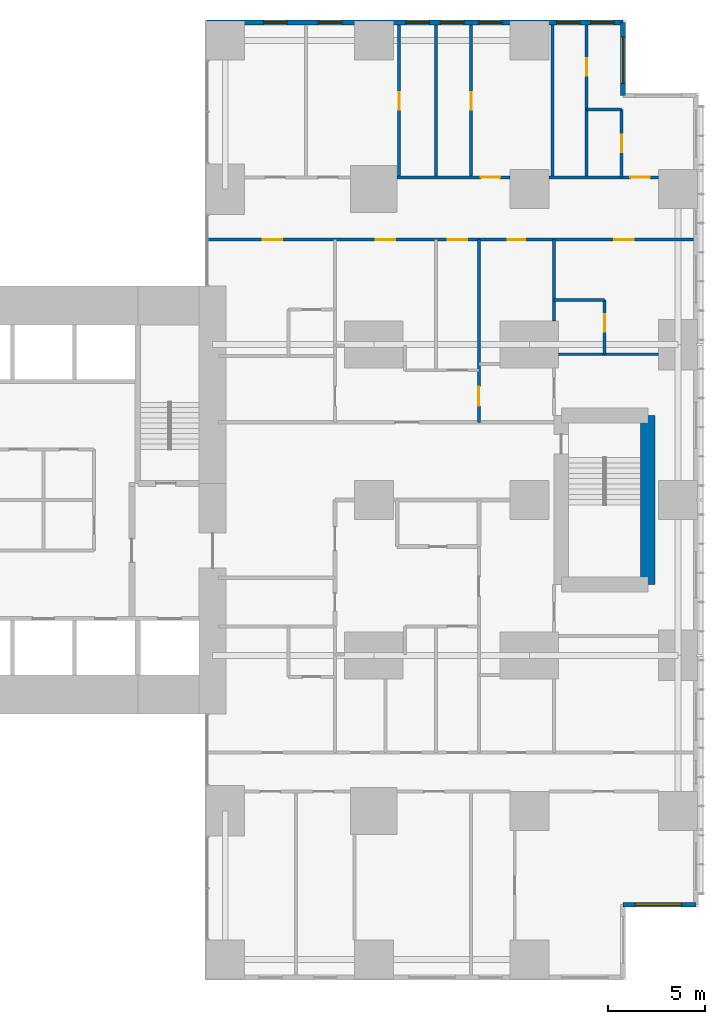
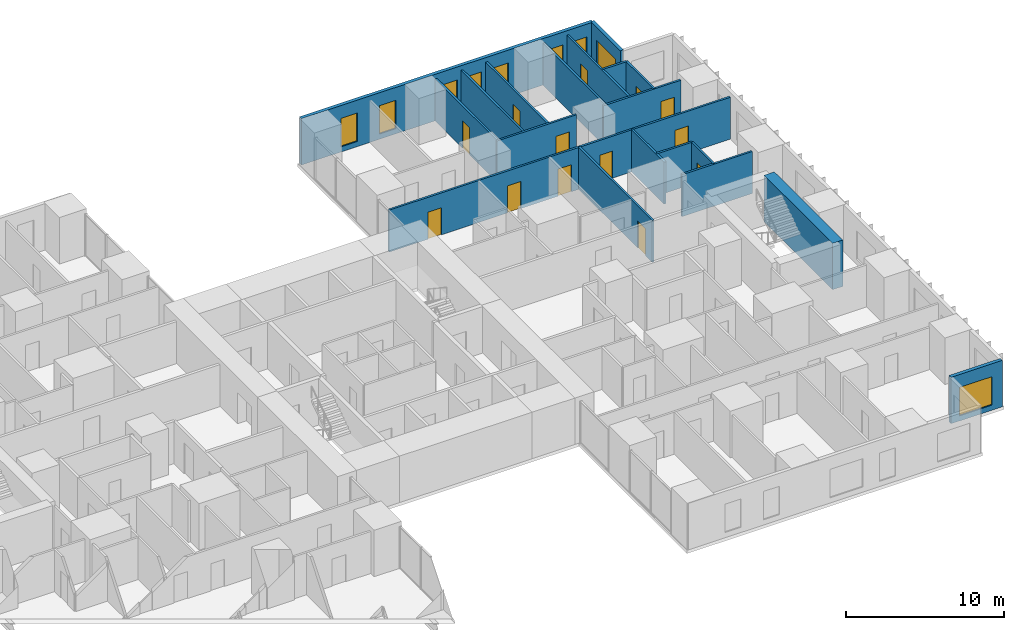
# One storey, part 18 of 20: 19 walls, 13 doors, 9 windows, 22 openings.
"""IFC4 building model written with IfcOpenShell, lengths in metres."""

from ifc_helpers import new_model, si_unit, direction, frame, frame_2d, origin, place, context, subcontext, project, spatial, rectangle, extrude, material, layer, layer_set, type_object, element, fill, save


model = new_model("IFC4")

# Units and contexts
model_context = context("Model", 3, precision=1e-05, world=origin(), true_north=direction((0.0, 1.0)))
body_context = subcontext(model_context, "Body", "Model", "MODEL_VIEW")
ifc_project = project(units=[si_unit("LENGTHUNIT", "METRE"), si_unit("AREAUNIT", "SQUARE_METRE"), si_unit("VOLUMEUNIT", "CUBIC_METRE"), si_unit("PLANEANGLEUNIT", "RADIAN"), si_unit("MASSUNIT", "GRAM", prefix="KILO")], contexts=[model_context])

# Site, building, storey
site_placement = place(None, origin())
site = spatial("IfcSite", under=ifc_project, at=site_placement, CompositionType="ELEMENT")
building_placement = place(site_placement, origin())
building = spatial("IfcBuilding", under=site, at=building_placement, Name="Cleftline Residences", CompositionType="ELEMENT")
storey_placement = place(building_placement, frame((0.0, 0.0, 168.199951171875)))
storey = spatial("IfcBuildingStorey", under=building, at=storey_placement, Name="L44", CompositionType="ELEMENT", Elevation=168.199951171875)

# Wall, opening, window
ifc_material_1 = material(Name="Rendered reinforced concrete blockwork", Category="masonry")
ifc_layer_1 = layer(ifc_material_1, 0.25)
ifc_layer_set_1 = layer_set([ifc_layer_1], Name="EXTERNAL WALL 250")
wall_type_1 = type_object("IfcWallType", Name="EXTERNAL WALL 250", PredefinedType="SOLIDWALL", material=ifc_layer_set_1)
wall_1_placement = place(storey_placement, frame((62.824951171875, 3.175048828125, 0.0), z_axis=(0.0, 0.0, 1.0), x_axis=(1.0, 0.0, 0.0)))
wall_1 = element("IfcWall", 1, at=wall_1_placement, inside=storey, type_object=wall_type_1, Name="External wall", PredefinedType="SOLIDWALL", context=body_context, shape_type="SweptSolid", body=[
    extrude(rectangle(XDim=3.75, YDim=0.25, at=frame_2d((1.875, 0.0))), origin(), (0.0, 0.0, 1.0), 3.60009765625),
])
opening_1_placement = place(wall_1_placement, frame((0.612548828125, 0.0, 0.39990234375)))
opening_1 = element("IfcOpeningElement", 2, at=opening_1_placement, cuts=wall_1, Name="Opening W12", PredefinedType="OPENING", context=body_context, shape_type="SweptSolid", body=[
    extrude(rectangle(XDim=2.39990234375, YDim=2.199951171875, at=frame_2d((1.199951171875, 1.10009765625))), frame((0.0, 0.135009765625, 0.0), z_axis=(0.0, -1.0, 0.0), x_axis=(1.0, 0.0, 0.0)), (0.0, 0.0, 1.0), 0.27001953125),
])
ifc_material_2 = material(Name="Aluminium frame, clear double glazing", Category="aluminium")
window_type_1 = type_object("IfcWindowType", Name="WINDOW 2400X2200", PartitioningType="DOUBLE_PANEL_VERTICAL", PredefinedType="WINDOW", material=ifc_material_2)
window_1_placement = place(opening_1_placement, origin())
window_1 = element("IfcWindow", 3, at=window_1_placement, inside=storey, type_object=window_type_1, Name="Window", OverallHeight=2.199951171875, OverallWidth=2.39990234375, PartitioningType="SINGLE_PANEL", PredefinedType="WINDOW", context=body_context, shape_type="SweptSolid", body=[
    extrude(rectangle(XDim=2.39990234375, YDim=2.199951171875, at=frame_2d((1.199951171875, 1.10009765625))), frame((0.0, 0.030029296875, 0.0), z_axis=(0.0, -1.0, 0.0), x_axis=(1.0, 0.0, 0.0)), (0.0, 0.0, 1.0), 0.06005859375),
])
fill(opening_1, window_1)

wall_2_placement = place(storey_placement, frame((62.824951171875, 44.824951171875, 0.0), z_axis=(0.0, 0.0, 1.0), x_axis=(0.0, 1.0, 0.0)))
wall_2 = element("IfcWall", 4, at=wall_2_placement, inside=storey, type_object=wall_type_1, Name="External wall", PredefinedType="SOLIDWALL", context=body_context, shape_type="SweptSolid", body=[
    extrude(rectangle(XDim=3.75, YDim=0.25, at=frame_2d((1.875, 0.0))), origin(), (0.0, 0.0, 1.0), 3.60009765625),
])
opening_2_placement = place(wall_2_placement, frame((0.612548828125, 0.0, 0.39990234375)))
opening_2 = element("IfcOpeningElement", 5, at=opening_2_placement, cuts=wall_2, Name="Opening W12", PredefinedType="OPENING", context=body_context, shape_type="SweptSolid", body=[
    extrude(rectangle(XDim=2.39990234375, YDim=2.199951171875, at=frame_2d((1.199951171875, 1.10009765625))), frame((0.0, 0.135009765625, 0.0), z_axis=(0.0, -1.0, 0.0), x_axis=(1.0, 0.0, 0.0)), (0.0, 0.0, 1.0), 0.27001953125),
])
window_2_placement = place(opening_2_placement, origin())
window_2 = element("IfcWindow", 6, at=window_2_placement, inside=storey, type_object=window_type_1, Name="Window", OverallHeight=2.199951171875, OverallWidth=2.39990234375, PartitioningType="SINGLE_PANEL", PredefinedType="WINDOW", context=body_context, shape_type="SweptSolid", body=[
    extrude(rectangle(XDim=2.39990234375, YDim=2.199951171875, at=frame_2d((1.199951171875, 1.10009765625))), frame((0.0, 0.030029296875, 0.0), z_axis=(0.0, -1.0, 0.0), x_axis=(1.0, 0.0, 0.0)), (0.0, 0.0, 1.0), 0.06005859375),
])
fill(opening_2, window_2)

# Wall, openings, windows
wall_3_placement = place(storey_placement, frame((62.824951171875, 48.574951171875, 0.0), z_axis=(0.0, 0.0, 1.0), x_axis=(-1.0, 0.0, 0.0)))
wall_3 = element("IfcWall", 7, at=wall_3_placement, inside=storey, type_object=wall_type_1, Name="External wall", PredefinedType="SOLIDWALL", context=body_context, shape_type="SweptSolid", body=[
    extrude(rectangle(XDim=21.39990234375, YDim=0.25, at=frame_2d((10.699951171875, 0.0))), origin(), (0.0, 0.0, 1.0), 3.60009765625),
])
opening_3_placement = place(wall_3_placement, frame((0.47509765625, 0.0, 0.39990234375)))
opening_3 = element("IfcOpeningElement", 8, at=opening_3_placement, cuts=wall_3, Name="Opening W11", PredefinedType="OPENING", context=body_context, shape_type="SweptSolid", body=[
    extrude(rectangle(XDim=1.199951171875, YDim=2.199951171875, at=frame_2d((0.60009765625, 1.10009765625))), frame((0.0, 0.135009765625, 0.0), z_axis=(0.0, -1.0, 0.0), x_axis=(1.0, 0.0, 0.0)), (0.0, 0.0, 1.0), 0.27001953125),
])
opening_4_placement = place(wall_3_placement, frame((2.22509765625, 0.0, 0.39990234375)))
opening_4 = element("IfcOpeningElement", 9, at=opening_4_placement, cuts=wall_3, Name="Opening W11", PredefinedType="OPENING", context=body_context, shape_type="SweptSolid", body=[
    extrude(rectangle(XDim=1.199951171875, YDim=2.199951171875, at=frame_2d((0.60009765625, 1.10009765625))), frame((0.0, 0.135009765625, 0.0), z_axis=(0.0, -1.0, 0.0), x_axis=(1.0, 0.0, 0.0)), (0.0, 0.0, 1.0), 0.27001953125),
])
opening_5_placement = place(wall_3_placement, frame((6.22509765625, 0.0, 0.39990234375)))
opening_5 = element("IfcOpeningElement", 10, at=opening_5_placement, cuts=wall_3, Name="Opening W11", PredefinedType="OPENING", context=body_context, shape_type="SweptSolid", body=[
    extrude(rectangle(XDim=1.199951171875, YDim=2.199951171875, at=frame_2d((0.60009765625, 1.10009765625))), frame((0.0, 0.135009765625, 0.0), z_axis=(0.0, -1.0, 0.0), x_axis=(1.0, 0.0, 0.0)), (0.0, 0.0, 1.0), 0.27001953125),
])
opening_6_placement = place(wall_3_placement, frame((8.199951171875, 0.0, 0.39990234375)))
opening_6 = element("IfcOpeningElement", 11, at=opening_6_placement, cuts=wall_3, Name="Opening W11", PredefinedType="OPENING", context=body_context, shape_type="SweptSolid", body=[
    extrude(rectangle(XDim=1.199951171875, YDim=2.199951171875, at=frame_2d((0.60009765625, 1.10009765625))), frame((0.0, 0.135009765625, 0.0), z_axis=(0.0, -1.0, 0.0), x_axis=(1.0, 0.0, 0.0)), (0.0, 0.0, 1.0), 0.27001953125),
])
opening_7_placement = place(wall_3_placement, frame((9.97509765625, 0.0, 0.39990234375)))
opening_7 = element("IfcOpeningElement", 12, at=opening_7_placement, cuts=wall_3, Name="Opening W11", PredefinedType="OPENING", context=body_context, shape_type="SweptSolid", body=[
    extrude(rectangle(XDim=1.199951171875, YDim=2.199951171875, at=frame_2d((0.60009765625, 1.10009765625))), frame((0.0, 0.135009765625, 0.0), z_axis=(0.0, -1.0, 0.0), x_axis=(1.0, 0.0, 0.0)), (0.0, 0.0, 1.0), 0.27001953125),
])
opening_8_placement = place(wall_3_placement, frame((14.47509765625, 0.0, 0.39990234375)))
opening_8 = element("IfcOpeningElement", 13, at=opening_8_placement, cuts=wall_3, Name="Opening W11", PredefinedType="OPENING", context=body_context, shape_type="SweptSolid", body=[
    extrude(rectangle(XDim=1.199951171875, YDim=2.199951171875, at=frame_2d((0.60009765625, 1.10009765625))), frame((0.0, 0.135009765625, 0.0), z_axis=(0.0, -1.0, 0.0), x_axis=(1.0, 0.0, 0.0)), (0.0, 0.0, 1.0), 0.27001953125),
])
opening_9_placement = place(wall_3_placement, frame((17.300048828125, 0.0, 0.39990234375)))
opening_9 = element("IfcOpeningElement", 14, at=opening_9_placement, cuts=wall_3, Name="Opening W11", PredefinedType="OPENING", context=body_context, shape_type="SweptSolid", body=[
    extrude(rectangle(XDim=1.199951171875, YDim=2.199951171875, at=frame_2d((0.60009765625, 1.10009765625))), frame((0.0, 0.135009765625, 0.0), z_axis=(0.0, -1.0, 0.0), x_axis=(1.0, 0.0, 0.0)), (0.0, 0.0, 1.0), 0.27001953125),
])
ifc_material_3 = material(Name="Aluminium frame, clear double glazing", Category="aluminium")
window_type_2 = type_object("IfcWindowType", Name="WINDOW 1200X2200", PartitioningType="DOUBLE_PANEL_VERTICAL", PredefinedType="WINDOW", material=ifc_material_3)
window_3_placement = place(opening_3_placement, origin())
window_3 = element("IfcWindow", 15, at=window_3_placement, inside=storey, type_object=window_type_2, Name="Window", OverallHeight=2.199951171875, OverallWidth=1.199951171875, PartitioningType="SINGLE_PANEL", PredefinedType="WINDOW", context=body_context, shape_type="SweptSolid", body=[
    extrude(rectangle(XDim=1.199951171875, YDim=2.199951171875, at=frame_2d((0.60009765625, 1.10009765625))), frame((0.0, 0.030029296875, 0.0), z_axis=(0.0, -1.0, 0.0), x_axis=(1.0, 0.0, 0.0)), (0.0, 0.0, 1.0), 0.06005859375),
])
fill(opening_3, window_3)
window_4_placement = place(opening_4_placement, origin())
window_4 = element("IfcWindow", 16, at=window_4_placement, inside=storey, type_object=window_type_2, Name="Window", OverallHeight=2.199951171875, OverallWidth=1.199951171875, PartitioningType="SINGLE_PANEL", PredefinedType="WINDOW", context=body_context, shape_type="SweptSolid", body=[
    extrude(rectangle(XDim=1.199951171875, YDim=2.199951171875, at=frame_2d((0.60009765625, 1.10009765625))), frame((0.0, 0.030029296875, 0.0), z_axis=(0.0, -1.0, 0.0), x_axis=(1.0, 0.0, 0.0)), (0.0, 0.0, 1.0), 0.06005859375),
])
fill(opening_4, window_4)
window_5_placement = place(opening_5_placement, origin())
window_5 = element("IfcWindow", 17, at=window_5_placement, inside=storey, type_object=window_type_2, Name="Window", OverallHeight=2.199951171875, OverallWidth=1.199951171875, PartitioningType="SINGLE_PANEL", PredefinedType="WINDOW", context=body_context, shape_type="SweptSolid", body=[
    extrude(rectangle(XDim=1.199951171875, YDim=2.199951171875, at=frame_2d((0.60009765625, 1.10009765625))), frame((0.0, 0.030029296875, 0.0), z_axis=(0.0, -1.0, 0.0), x_axis=(1.0, 0.0, 0.0)), (0.0, 0.0, 1.0), 0.06005859375),
])
fill(opening_5, window_5)
window_6_placement = place(opening_6_placement, origin())
window_6 = element("IfcWindow", 18, at=window_6_placement, inside=storey, type_object=window_type_2, Name="Window", OverallHeight=2.199951171875, OverallWidth=1.199951171875, PartitioningType="SINGLE_PANEL", PredefinedType="WINDOW", context=body_context, shape_type="SweptSolid", body=[
    extrude(rectangle(XDim=1.199951171875, YDim=2.199951171875, at=frame_2d((0.60009765625, 1.10009765625))), frame((0.0, 0.030029296875, 0.0), z_axis=(0.0, -1.0, 0.0), x_axis=(1.0, 0.0, 0.0)), (0.0, 0.0, 1.0), 0.06005859375),
])
fill(opening_6, window_6)
window_7_placement = place(opening_7_placement, origin())
window_7 = element("IfcWindow", 19, at=window_7_placement, inside=storey, type_object=window_type_2, Name="Window", OverallHeight=2.199951171875, OverallWidth=1.199951171875, PartitioningType="SINGLE_PANEL", PredefinedType="WINDOW", context=body_context, shape_type="SweptSolid", body=[
    extrude(rectangle(XDim=1.199951171875, YDim=2.199951171875, at=frame_2d((0.60009765625, 1.10009765625))), frame((0.0, 0.030029296875, 0.0), z_axis=(0.0, -1.0, 0.0), x_axis=(1.0, 0.0, 0.0)), (0.0, 0.0, 1.0), 0.06005859375),
])
fill(opening_7, window_7)
window_8_placement = place(opening_8_placement, origin())
window_8 = element("IfcWindow", 20, at=window_8_placement, inside=storey, type_object=window_type_2, Name="Window", OverallHeight=2.199951171875, OverallWidth=1.199951171875, PartitioningType="SINGLE_PANEL", PredefinedType="WINDOW", context=body_context, shape_type="SweptSolid", body=[
    extrude(rectangle(XDim=1.199951171875, YDim=2.199951171875, at=frame_2d((0.60009765625, 1.10009765625))), frame((0.0, 0.030029296875, 0.0), z_axis=(0.0, -1.0, 0.0), x_axis=(1.0, 0.0, 0.0)), (0.0, 0.0, 1.0), 0.06005859375),
])
fill(opening_8, window_8)
window_9_placement = place(opening_9_placement, origin())
window_9 = element("IfcWindow", 21, at=window_9_placement, inside=storey, type_object=window_type_2, Name="Window", OverallHeight=2.199951171875, OverallWidth=1.199951171875, PartitioningType="SINGLE_PANEL", PredefinedType="WINDOW", context=body_context, shape_type="SweptSolid", body=[
    extrude(rectangle(XDim=1.199951171875, YDim=2.199951171875, at=frame_2d((0.60009765625, 1.10009765625))), frame((0.0, 0.030029296875, 0.0), z_axis=(0.0, -1.0, 0.0), x_axis=(1.0, 0.0, 0.0)), (0.0, 0.0, 1.0), 0.06005859375),
])
fill(opening_9, window_9)

# Walls
ifc_material_4 = material(Name="Gypsum board on steel studs", Category="steel")
ifc_layer_2 = layer(ifc_material_4, 0.14990234375)
ifc_layer_set_2 = layer_set([ifc_layer_2], Name="PARTITION 150")
wall_type_2 = type_object("IfcWallType", Name="PARTITION 150", PredefinedType="PARTITIONING", material=ifc_layer_set_2)
wall_4_placement = place(storey_placement, frame((59.5, 31.5, 0.0), z_axis=(0.0, 0.0, 1.0), x_axis=(1.0, 0.0, 0.0)))
element("IfcWall", 22, at=wall_4_placement, inside=storey, type_object=wall_type_2, Name="Partition", PredefinedType="PARTITIONING", context=body_context, shape_type="SweptSolid", body=[
    extrude(rectangle(XDim=5.14990234375, YDim=0.14990234375, at=frame_2d((2.574951171875, 0.0))), origin(), (0.0, 0.0, 1.0), 3.25),
])
wall_5_placement = place(storey_placement, frame((59.27490234375, 34.300048828125, 0.0), z_axis=(0.0, 0.0, 1.0), x_axis=(1.0, 0.0, 0.0)))
element("IfcWall", 23, at=wall_5_placement, inside=storey, type_object=wall_type_2, Name="Partition", PredefinedType="PARTITIONING", context=body_context, shape_type="SweptSolid", body=[
    extrude(rectangle(XDim=2.60009765625, YDim=0.14990234375, at=frame_2d((1.300048828125, 0.0))), origin(), (0.0, 0.0, 1.0), 3.25),
])

# Wall, openings, doors
wall_6_placement = place(storey_placement, frame((41.43896484375, 37.39990234375, 0.0), z_axis=(0.0, 0.0, 1.0), x_axis=(1.0, 0.0, 0.0)))
wall_6 = element("IfcWall", 24, at=wall_6_placement, inside=storey, type_object=wall_type_2, Name="Partition", PredefinedType="PARTITIONING", context=body_context, shape_type="SweptSolid", body=[
    extrude(rectangle(XDim=25.010986328125, YDim=0.14990234375, at=frame_2d((12.50537109375, 0.0))), origin(), (0.0, 0.0, 1.0), 3.25),
])
opening_10_placement = place(wall_6_placement, frame((12.361083984375, 0.0, 0.0)))
opening_10 = element("IfcOpeningElement", 25, at=opening_10_placement, cuts=wall_6, Name="Opening D2F30", PredefinedType="OPENING", context=body_context, shape_type="SweptSolid", body=[
    extrude(rectangle(XDim=1.0, YDim=2.10009765625, at=frame_2d((0.5, 1.050048828125))), frame((0.0, 0.0849609375, 0.0), z_axis=(0.0, -1.0, 0.0), x_axis=(1.0, 0.0, 0.0)), (0.0, 0.0, 1.0), 0.169921875),
])
opening_11_placement = place(wall_6_placement, frame((20.923583984375, 0.0, 0.0)))
opening_11 = element("IfcOpeningElement", 26, at=opening_11_placement, cuts=wall_6, Name="Opening D2F30", PredefinedType="OPENING", context=body_context, shape_type="SweptSolid", body=[
    extrude(rectangle(XDim=1.0, YDim=2.10009765625, at=frame_2d((0.5, 1.050048828125))), frame((0.0, 0.0849609375, 0.0), z_axis=(0.0, -1.0, 0.0), x_axis=(1.0, 0.0, 0.0)), (0.0, 0.0, 1.0), 0.169921875),
])
opening_12_placement = place(wall_6_placement, frame((15.448486328125, 0.0, 0.0)))
opening_12 = element("IfcOpeningElement", 27, at=opening_12_placement, cuts=wall_6, Name="Opening D1F30", PredefinedType="OPENING", context=body_context, shape_type="SweptSolid", body=[
    extrude(rectangle(XDim=0.89990234375, YDim=2.10009765625, at=frame_2d((0.449951171875, 1.050048828125))), frame((0.0, 0.0849609375, 0.0), z_axis=(0.0, -1.0, 0.0), x_axis=(1.0, 0.0, 0.0)), (0.0, 0.0, 1.0), 0.169921875),
])
opening_13_placement = place(wall_6_placement, frame((8.660888671875, 0.0, 0.0)))
opening_13 = element("IfcOpeningElement", 28, at=opening_13_placement, cuts=wall_6, Name="Opening D2F30", PredefinedType="OPENING", context=body_context, shape_type="SweptSolid", body=[
    extrude(rectangle(XDim=1.0, YDim=2.10009765625, at=frame_2d((0.5, 1.050048828125))), frame((0.0, 0.0849609375, 0.0), z_axis=(0.0, -1.0, 0.0), x_axis=(1.0, 0.0, 0.0)), (0.0, 0.0, 1.0), 0.169921875),
])
opening_14_placement = place(wall_6_placement, frame((2.8359375, 0.0, 0.0)))
opening_14 = element("IfcOpeningElement", 29, at=opening_14_placement, cuts=wall_6, Name="Opening D2F30", PredefinedType="OPENING", context=body_context, shape_type="SweptSolid", body=[
    extrude(rectangle(XDim=1.0, YDim=2.10009765625, at=frame_2d((0.5, 1.050048828125))), frame((0.0, 0.0849609375, 0.0), z_axis=(0.0, -1.0, 0.0), x_axis=(1.0, 0.0, 0.0)), (0.0, 0.0, 1.0), 0.169921875),
])
ifc_material_5 = material(Name="Timber veneer on solid core", Category="wood")
door_type_1 = type_object("IfcDoorType", Name="DOOR 1000X2100 EI 30", OperationType="SINGLE_SWING_LEFT", PredefinedType="DOOR", material=ifc_material_5)
door_1_placement = place(opening_10_placement, origin())
door_1 = element("IfcDoor", 30, at=door_1_placement, inside=storey, type_object=door_type_1, Name="Door to residence corridor (bedrooms)", OperationType="SINGLE_SWING_LEFT", OverallHeight=2.10009765625, OverallWidth=1.0, PredefinedType="DOOR", context=body_context, shape_type="SweptSolid", body=[
    extrude(rectangle(XDim=1.0, YDim=2.10009765625, at=frame_2d((0.5, 1.050048828125))), frame((0.0, 0.02490234375, 0.0), z_axis=(0.0, -1.0, 0.0), x_axis=(1.0, 0.0, 0.0)), (0.0, 0.0, 1.0), 0.050048828125),
])
fill(opening_10, door_1)
door_2_placement = place(opening_11_placement, origin())
door_2 = element("IfcDoor", 31, at=door_2_placement, inside=storey, type_object=door_type_1, Name="Door to master bedroom", OperationType="SINGLE_SWING_LEFT", OverallHeight=2.10009765625, OverallWidth=1.0, PredefinedType="DOOR", context=body_context, shape_type="SweptSolid", body=[
    extrude(rectangle(XDim=1.0, YDim=2.10009765625, at=frame_2d((0.5, 1.050048828125))), frame((0.0, 0.02490234375, 0.0), z_axis=(0.0, -1.0, 0.0), x_axis=(1.0, 0.0, 0.0)), (0.0, 0.0, 1.0), 0.050048828125),
])
fill(opening_11, door_2)
door_3_placement = place(opening_13_placement, origin())
door_3 = element("IfcDoor", 32, at=door_3_placement, inside=storey, type_object=door_type_1, Name="Door to media room", OperationType="SINGLE_SWING_RIGHT", OverallHeight=2.10009765625, OverallWidth=1.0, PredefinedType="DOOR", context=body_context, shape_type="SweptSolid", body=[
    extrude(rectangle(XDim=1.0, YDim=2.10009765625, at=frame_2d((0.5, 1.050048828125))), frame((0.0, 0.02490234375, 0.0), z_axis=(0.0, -1.0, 0.0), x_axis=(1.0, 0.0, 0.0)), (0.0, 0.0, 1.0), 0.050048828125),
])
fill(opening_13, door_3)
door_4_placement = place(opening_14_placement, origin())
door_4 = element("IfcDoor", 33, at=door_4_placement, inside=storey, type_object=door_type_1, Name="Door to staff bedroom", OperationType="SINGLE_SWING_RIGHT", OverallHeight=2.10009765625, OverallWidth=1.0, PredefinedType="DOOR", context=body_context, shape_type="SweptSolid", body=[
    extrude(rectangle(XDim=1.0, YDim=2.10009765625, at=frame_2d((0.5, 1.050048828125))), frame((0.0, 0.02490234375, 0.0), z_axis=(0.0, -1.0, 0.0), x_axis=(1.0, 0.0, 0.0)), (0.0, 0.0, 1.0), 0.050048828125),
])
fill(opening_14, door_4)
ifc_material_6 = material(Name="Timber veneer on solid core", Category="wood")
door_type_2 = type_object("IfcDoorType", Name="DOOR 900X2100 EI 30", OperationType="SINGLE_SWING_LEFT", PredefinedType="DOOR", material=ifc_material_6)
door_5_placement = place(opening_12_placement, origin())
door_5 = element("IfcDoor", 34, at=door_5_placement, inside=storey, type_object=door_type_2, Name="Door to guest bathroom", OperationType="SINGLE_SWING_LEFT", OverallHeight=2.10009765625, OverallWidth=0.89990234375, PredefinedType="DOOR", context=body_context, shape_type="SweptSolid", body=[
    extrude(rectangle(XDim=0.89990234375, YDim=2.10009765625, at=frame_2d((0.449951171875, 1.050048828125))), frame((0.0, 0.02490234375, 0.0), z_axis=(0.0, -1.0, 0.0), x_axis=(1.0, 0.0, 0.0)), (0.0, 0.0, 1.0), 0.050048828125),
])
fill(opening_12, door_5)

# Wall, opening, door
wall_7_placement = place(storey_placement, frame((51.199951171875, 40.60009765625, 0.0), z_axis=(0.0, 0.0, 1.0), x_axis=(1.0, 0.0, 0.0)))
wall_7 = element("IfcWall", 35, at=wall_7_placement, inside=storey, type_object=wall_type_2, Name="Partition", PredefinedType="PARTITIONING", context=body_context, shape_type="SweptSolid", body=[
    extrude(rectangle(XDim=5.800048828125, YDim=0.14990234375, at=frame_2d((2.89990234375, 0.0))), origin(), (0.0, 0.0, 1.0), 3.25),
])
opening_15_placement = place(wall_7_placement, frame((4.300048828125, 0.0, 0.0)))
opening_15 = element("IfcOpeningElement", 36, at=opening_15_placement, cuts=wall_7, Name="Opening D2", PredefinedType="OPENING", context=body_context, shape_type="SweptSolid", body=[
    extrude(rectangle(XDim=1.0, YDim=2.10009765625, at=frame_2d((0.5, 1.050048828125))), frame((0.0, 0.0849609375, 0.0), z_axis=(0.0, -1.0, 0.0), x_axis=(1.0, 0.0, 0.0)), (0.0, 0.0, 1.0), 0.169921875),
])
ifc_material_7 = material(Name="Timber veneer on solid core", Category="wood")
door_type_3 = type_object("IfcDoorType", Name="DOOR 1000X2100", OperationType="SINGLE_SWING_LEFT", PredefinedType="DOOR", material=ifc_material_7)
door_6_placement = place(opening_15_placement, origin())
door_6 = element("IfcDoor", 37, at=door_6_placement, inside=storey, type_object=door_type_3, Name="Door to bedroom 3", OperationType="SINGLE_SWING_LEFT", OverallHeight=2.10009765625, OverallWidth=1.0, PredefinedType="DOOR", context=body_context, shape_type="SweptSolid", body=[
    extrude(rectangle(XDim=1.0, YDim=2.10009765625, at=frame_2d((0.5, 1.050048828125))), frame((0.0, 0.02490234375, 0.0), z_axis=(0.0, -1.0, 0.0), x_axis=(1.0, 0.0, 0.0)), (0.0, 0.0, 1.0), 0.050048828125),
])
fill(opening_15, door_6)

wall_8_placement = place(storey_placement, frame((59.0, 40.60009765625, 0.0), z_axis=(0.0, 0.0, 1.0), x_axis=(1.0, 0.0, 0.0)))
wall_8 = element("IfcWall", 38, at=wall_8_placement, inside=storey, type_object=wall_type_2, Name="Partition", PredefinedType="PARTITIONING", context=body_context, shape_type="SweptSolid", body=[
    extrude(rectangle(XDim=5.64990234375, YDim=0.14990234375, at=frame_2d((2.824951171875, 0.0))), origin(), (0.0, 0.0, 1.0), 3.25),
])
opening_16_placement = place(wall_8_placement, frame((4.199951171875, 0.0, 0.0)))
opening_16 = element("IfcOpeningElement", 39, at=opening_16_placement, cuts=wall_8, Name="Opening D2", PredefinedType="OPENING", context=body_context, shape_type="SweptSolid", body=[
    extrude(rectangle(XDim=1.0, YDim=2.10009765625, at=frame_2d((0.5, 1.050048828125))), frame((0.0, 0.0849609375, 0.0), z_axis=(0.0, -1.0, 0.0), x_axis=(1.0, 0.0, 0.0)), (0.0, 0.0, 1.0), 0.169921875),
])
door_7_placement = place(opening_16_placement, origin())
door_7 = element("IfcDoor", 40, at=door_7_placement, inside=storey, type_object=door_type_3, Name="Door to bedroom 2", OperationType="SINGLE_SWING_LEFT", OverallHeight=2.10009765625, OverallWidth=1.0, PredefinedType="DOOR", context=body_context, shape_type="SweptSolid", body=[
    extrude(rectangle(XDim=1.0, YDim=2.10009765625, at=frame_2d((0.5, 1.050048828125))), frame((0.0, 0.02490234375, 0.0), z_axis=(0.0, -1.0, 0.0), x_axis=(1.0, 0.0, 0.0)), (0.0, 0.0, 1.0), 0.050048828125),
])
fill(opening_16, door_7)

# Wall
wall_9_placement = place(storey_placement, frame((60.949951171875, 44.10009765625, 0.0), z_axis=(0.0, 0.0, 1.0), x_axis=(1.0, 0.0, 0.0)))
element("IfcWall", 41, at=wall_9_placement, inside=storey, type_object=wall_type_2, Name="Partition", PredefinedType="PARTITIONING", context=body_context, shape_type="SweptSolid", body=[
    extrude(rectangle(XDim=1.800048828125, YDim=0.14990234375, at=frame_2d((0.89990234375, 0.0))), origin(), (0.0, 0.0, 1.0), 3.25),
])

# Wall, opening, door
wall_10_placement = place(storey_placement, frame((51.300048828125, 40.60009765625, 0.0), z_axis=(0.0, 0.0, 1.0), x_axis=(0.0, 1.0, 0.0)))
wall_10 = element("IfcWall", 42, at=wall_10_placement, inside=storey, type_object=wall_type_2, Name="Partition", PredefinedType="PARTITIONING", context=body_context, shape_type="SweptSolid", body=[
    extrude(rectangle(XDim=7.849853515625, YDim=0.14990234375, at=frame_2d((3.9248046875, 0.0))), origin(), (0.0, 0.0, 1.0), 3.25),
])
opening_17_placement = place(wall_10_placement, frame((3.47509765625, 0.0, 0.0)))
opening_17 = element("IfcOpeningElement", 43, at=opening_17_placement, cuts=wall_10, Name="Opening D1", PredefinedType="OPENING", context=body_context, shape_type="SweptSolid", body=[
    extrude(rectangle(XDim=0.89990234375, YDim=2.10009765625, at=frame_2d((0.449951171875, 1.050048828125))), frame((0.0, 0.0849609375, 0.0), z_axis=(0.0, -1.0, 0.0), x_axis=(1.0, 0.0, 0.0)), (0.0, 0.0, 1.0), 0.169921875),
])
ifc_material_8 = material(Name="Timber veneer on solid core", Category="wood")
door_type_4 = type_object("IfcDoorType", Name="DOOR 900X2100", OperationType="SINGLE_SWING_LEFT", PredefinedType="DOOR", material=ifc_material_8)
door_8_placement = place(opening_17_placement, origin())
door_8 = element("IfcDoor", 44, at=door_8_placement, inside=storey, type_object=door_type_4, Name="Door to en-suite bathroom 4", OperationType="SINGLE_SWING_LEFT", OverallHeight=2.10009765625, OverallWidth=0.89990234375, PredefinedType="DOOR", context=body_context, shape_type="SweptSolid", body=[
    extrude(rectangle(XDim=0.89990234375, YDim=2.10009765625, at=frame_2d((0.449951171875, 1.050048828125))), frame((0.0, 0.02490234375, 0.0), z_axis=(0.0, -1.0, 0.0), x_axis=(1.0, 0.0, 0.0)), (0.0, 0.0, 1.0), 0.050048828125),
])
fill(opening_17, door_8)

# Wall
wall_11_placement = place(storey_placement, frame((53.199951171875, 40.60009765625, 0.0), z_axis=(0.0, 0.0, 1.0), x_axis=(0.0, 1.0, 0.0)))
element("IfcWall", 45, at=wall_11_placement, inside=storey, type_object=wall_type_2, Name="Partition", PredefinedType="PARTITIONING", context=body_context, shape_type="SweptSolid", body=[
    extrude(rectangle(XDim=7.849853515625, YDim=0.14990234375, at=frame_2d((3.9248046875, 0.0))), origin(), (0.0, 0.0, 1.0), 3.25),
])

# Wall, opening, door
wall_12_placement = place(storey_placement, frame((55.0, 40.60009765625, 0.0), z_axis=(0.0, 0.0, 1.0), x_axis=(0.0, 1.0, 0.0)))
wall_12 = element("IfcWall", 46, at=wall_12_placement, inside=storey, type_object=wall_type_2, Name="Partition", PredefinedType="PARTITIONING", context=body_context, shape_type="SweptSolid", body=[
    extrude(rectangle(XDim=7.849853515625, YDim=0.14990234375, at=frame_2d((3.9248046875, 0.0))), origin(), (0.0, 0.0, 1.0), 3.25),
])
opening_18_placement = place(wall_12_placement, frame((3.47509765625, 0.0, 0.0)))
opening_18 = element("IfcOpeningElement", 47, at=opening_18_placement, cuts=wall_12, Name="Opening D1", PredefinedType="OPENING", context=body_context, shape_type="SweptSolid", body=[
    extrude(rectangle(XDim=0.89990234375, YDim=2.10009765625, at=frame_2d((0.449951171875, 1.050048828125))), frame((0.0, 0.0849609375, 0.0), z_axis=(0.0, -1.0, 0.0), x_axis=(1.0, 0.0, 0.0)), (0.0, 0.0, 1.0), 0.169921875),
])
door_9_placement = place(opening_18_placement, origin())
door_9 = element("IfcDoor", 48, at=door_9_placement, inside=storey, type_object=door_type_4, Name="Door to en-suite bathroom 3", OperationType="SINGLE_SWING_LEFT", OverallHeight=2.10009765625, OverallWidth=0.89990234375, PredefinedType="DOOR", context=body_context, shape_type="SweptSolid", body=[
    extrude(rectangle(XDim=0.89990234375, YDim=2.10009765625, at=frame_2d((0.449951171875, 1.050048828125))), frame((0.0, 0.02490234375, 0.0), z_axis=(0.0, -1.0, 0.0), x_axis=(1.0, 0.0, 0.0)), (0.0, 0.0, 1.0), 0.050048828125),
])
fill(opening_18, door_9)

wall_13_placement = place(storey_placement, frame((55.39990234375, 28.0, 0.0), z_axis=(0.0, 0.0, 1.0), x_axis=(0.0, 1.0, 0.0)))
wall_13 = element("IfcWall", 49, at=wall_13_placement, inside=storey, type_object=wall_type_2, Name="Partition", PredefinedType="PARTITIONING", context=body_context, shape_type="SweptSolid", body=[
    extrude(rectangle(XDim=9.39990234375, YDim=0.14990234375, at=frame_2d((4.699951171875, 0.0))), origin(), (0.0, 0.0, 1.0), 3.25),
])
opening_19_placement = place(wall_13_placement, frame((0.83740234375, 0.0, 0.0)))
opening_19 = element("IfcOpeningElement", 50, at=opening_19_placement, cuts=wall_13, Name="Opening D2F30", PredefinedType="OPENING", context=body_context, shape_type="SweptSolid", body=[
    extrude(rectangle(XDim=1.0, YDim=2.10009765625, at=frame_2d((0.5, 1.050048828125))), frame((0.0, 0.0849609375, 0.0), z_axis=(0.0, -1.0, 0.0), x_axis=(1.0, 0.0, 0.0)), (0.0, 0.0, 1.0), 0.169921875),
])
door_10_placement = place(opening_19_placement, origin())
door_10 = element("IfcDoor", 51, at=door_10_placement, inside=storey, type_object=door_type_1, Name="Door to residence lobby (service)", OperationType="SINGLE_SWING_RIGHT", OverallHeight=2.10009765625, OverallWidth=1.0, PredefinedType="DOOR", context=body_context, shape_type="SweptSolid", body=[
    extrude(rectangle(XDim=1.0, YDim=2.10009765625, at=frame_2d((0.5, 1.050048828125))), frame((0.0, 0.02490234375, 0.0), z_axis=(0.0, -1.0, 0.0), x_axis=(1.0, 0.0, 0.0)), (0.0, 0.0, 1.0), 0.050048828125),
])
fill(opening_19, door_10)

# Walls
wall_14_placement = place(storey_placement, frame((59.199951171875, 40.60009765625, 0.0), z_axis=(0.0, 0.0, 1.0), x_axis=(0.0, 1.0, 0.0)))
element("IfcWall", 52, at=wall_14_placement, inside=storey, type_object=wall_type_2, Name="Partition", PredefinedType="PARTITIONING", context=body_context, shape_type="SweptSolid", body=[
    extrude(rectangle(XDim=7.849853515625, YDim=0.14990234375, at=frame_2d((3.9248046875, 0.0))), origin(), (0.0, 0.0, 1.0), 3.25),
])
wall_15_placement = place(storey_placement, frame((59.27490234375, 33.199951171875, 0.0), z_axis=(0.0, 0.0, 1.0), x_axis=(0.0, 1.0, 0.0)))
element("IfcWall", 53, at=wall_15_placement, inside=storey, type_object=wall_type_2, Name="Partition", PredefinedType="PARTITIONING", context=body_context, shape_type="SweptSolid", body=[
    extrude(rectangle(XDim=4.199951171875, YDim=0.14990234375, at=frame_2d((2.10009765625, 0.0))), origin(), (0.0, 0.0, 1.0), 3.25),
])

# Wall, opening, door
wall_16_placement = place(storey_placement, frame((60.949951171875, 40.60009765625, 0.0), z_axis=(0.0, 0.0, 1.0), x_axis=(0.0, 1.0, 0.0)))
wall_16 = element("IfcWall", 54, at=wall_16_placement, inside=storey, type_object=wall_type_2, Name="Partition", PredefinedType="PARTITIONING", context=body_context, shape_type="SweptSolid", body=[
    extrude(rectangle(XDim=7.849853515625, YDim=0.14990234375, at=frame_2d((3.9248046875, 0.0))), origin(), (0.0, 0.0, 1.0), 3.25),
])
opening_20_placement = place(wall_16_placement, frame((5.22509765625, 0.0, 0.0)))
opening_20 = element("IfcOpeningElement", 55, at=opening_20_placement, cuts=wall_16, Name="Opening D1", PredefinedType="OPENING", context=body_context, shape_type="SweptSolid", body=[
    extrude(rectangle(XDim=0.89990234375, YDim=2.10009765625, at=frame_2d((0.449951171875, 1.050048828125))), frame((0.0, 0.0849609375, 0.0), z_axis=(0.0, -1.0, 0.0), x_axis=(1.0, 0.0, 0.0)), (0.0, 0.0, 1.0), 0.169921875),
])
door_11_placement = place(opening_20_placement, origin())
door_11 = element("IfcDoor", 56, at=door_11_placement, inside=storey, type_object=door_type_4, Name="Door to walk-in wardrobe", OperationType="SINGLE_SWING_LEFT", OverallHeight=2.10009765625, OverallWidth=0.89990234375, PredefinedType="DOOR", context=body_context, shape_type="SweptSolid", body=[
    extrude(rectangle(XDim=0.89990234375, YDim=2.10009765625, at=frame_2d((0.449951171875, 1.050048828125))), frame((0.0, 0.02490234375, 0.0), z_axis=(0.0, -1.0, 0.0), x_axis=(1.0, 0.0, 0.0)), (0.0, 0.0, 1.0), 0.050048828125),
])
fill(opening_20, door_11)

wall_17_placement = place(storey_placement, frame((61.875, 31.5, 0.0), z_axis=(0.0, 0.0, 1.0), x_axis=(0.0, 1.0, 0.0)))
wall_17 = element("IfcWall", 57, at=wall_17_placement, inside=storey, type_object=wall_type_2, Name="Partition", PredefinedType="PARTITIONING", context=body_context, shape_type="SweptSolid", body=[
    extrude(rectangle(XDim=2.800048828125, YDim=0.14990234375, at=frame_2d((1.39990234375, 0.0))), origin(), (0.0, 0.0, 1.0), 3.25),
])
opening_21_placement = place(wall_17_placement, frame((1.14990234375, 0.0, 0.0)))
opening_21 = element("IfcOpeningElement", 58, at=opening_21_placement, cuts=wall_17, Name="Opening D1", PredefinedType="OPENING", context=body_context, shape_type="SweptSolid", body=[
    extrude(rectangle(XDim=0.89990234375, YDim=2.10009765625, at=frame_2d((0.449951171875, 1.050048828125))), frame((0.0, 0.0849609375, 0.0), z_axis=(0.0, -1.0, 0.0), x_axis=(1.0, 0.0, 0.0)), (0.0, 0.0, 1.0), 0.169921875),
])
door_12_placement = place(opening_21_placement, origin())
door_12 = element("IfcDoor", 59, at=door_12_placement, inside=storey, type_object=door_type_4, Name="Door to master bathroom", OperationType="SINGLE_SWING_LEFT", OverallHeight=2.10009765625, OverallWidth=0.89990234375, PredefinedType="DOOR", context=body_context, shape_type="SweptSolid", body=[
    extrude(rectangle(XDim=0.89990234375, YDim=2.10009765625, at=frame_2d((0.449951171875, 1.050048828125))), frame((0.0, 0.02490234375, 0.0), z_axis=(0.0, -1.0, 0.0), x_axis=(1.0, 0.0, 0.0)), (0.0, 0.0, 1.0), 0.050048828125),
])
fill(opening_21, door_12)

wall_18_placement = place(storey_placement, frame((62.75, 40.60009765625, 0.0), z_axis=(0.0, 0.0, 1.0), x_axis=(0.0, 1.0, 0.0)))
wall_18 = element("IfcWall", 60, at=wall_18_placement, inside=storey, type_object=wall_type_2, Name="Partition", PredefinedType="PARTITIONING", context=body_context, shape_type="SweptSolid", body=[
    extrude(rectangle(XDim=3.5, YDim=0.14990234375, at=frame_2d((1.75, 0.0))), origin(), (0.0, 0.0, 1.0), 3.25),
])
opening_22_placement = place(wall_18_placement, frame((1.300048828125, 0.0, 0.0)))
opening_22 = element("IfcOpeningElement", 61, at=opening_22_placement, cuts=wall_18, Name="Opening D1", PredefinedType="OPENING", context=body_context, shape_type="SweptSolid", body=[
    extrude(rectangle(XDim=0.89990234375, YDim=2.10009765625, at=frame_2d((0.449951171875, 1.050048828125))), frame((0.0, 0.0849609375, 0.0), z_axis=(0.0, -1.0, 0.0), x_axis=(1.0, 0.0, 0.0)), (0.0, 0.0, 1.0), 0.169921875),
])
door_13_placement = place(opening_22_placement, origin())
door_13 = element("IfcDoor", 62, at=door_13_placement, inside=storey, type_object=door_type_4, Name="Door to en-suite bathroom 2", OperationType="SINGLE_SWING_LEFT", OverallHeight=2.10009765625, OverallWidth=0.89990234375, PredefinedType="DOOR", context=body_context, shape_type="SweptSolid", body=[
    extrude(rectangle(XDim=0.89990234375, YDim=2.10009765625, at=frame_2d((0.449951171875, 1.050048828125))), frame((0.0, 0.02490234375, 0.0), z_axis=(0.0, -1.0, 0.0), x_axis=(1.0, 0.0, 0.0)), (0.0, 0.0, 1.0), 0.050048828125),
])
fill(opening_22, door_13)

# Wall
ifc_material_9 = material(Name="Concrete B70", Category="concrete")
ifc_layer_3 = layer(ifc_material_9, 0.75)
ifc_layer_set_3 = layer_set([ifc_layer_3], Name="SHEAR WALL 750")
wall_type_3 = type_object("IfcWallType", Name="SHEAR WALL 750", PredefinedType="SHEAR", material=ifc_layer_set_3)
wall_19_placement = place(storey_placement, frame((64.10009765625, 19.64990234375, 0.0), z_axis=(0.0, 0.0, 1.0), x_axis=(0.0, 1.0, 0.0)))
element("IfcWall", 63, at=wall_19_placement, inside=storey, type_object=wall_type_3, Name="Wing shear wall", PredefinedType="SHEAR", context=body_context, shape_type="SweptSolid", body=[
    extrude(rectangle(XDim=8.7001953125, YDim=0.75, at=frame_2d((4.35009765625, 0.0))), origin(), (0.0, 0.0, 1.0), 3.60009765625),
])

save(model, "model.ifc")
